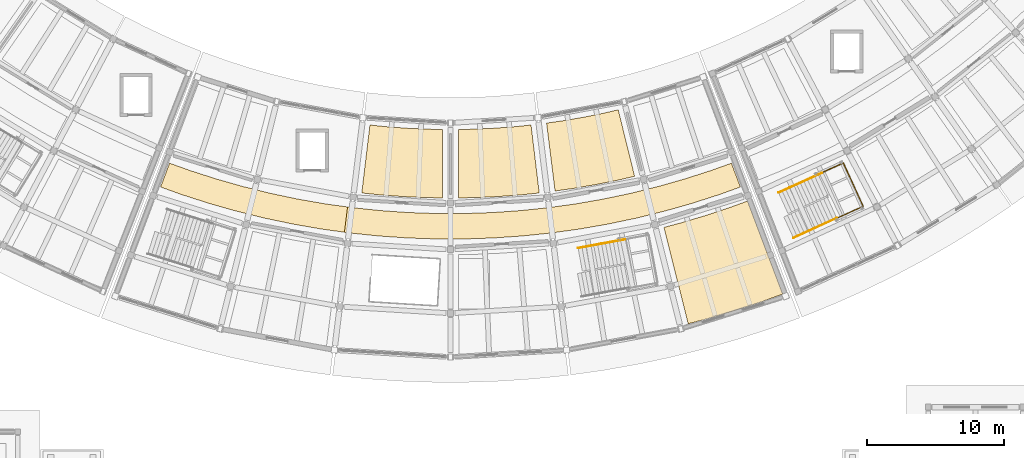
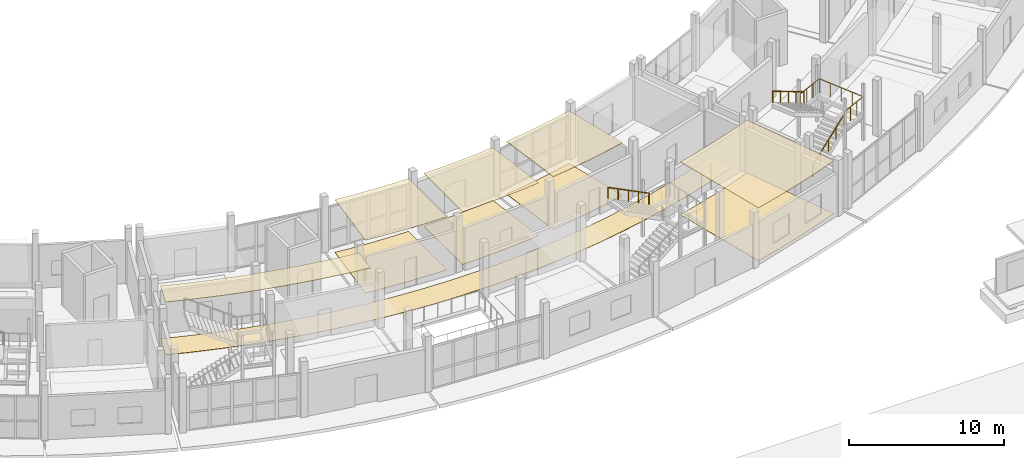
# One storey, part 84 of 92: 10 coverings, 4 railings.
"""IFC4 building model written with IfcOpenShell, lengths in metres."""

import ifcopenshell
import ifcopenshell.guid

model = None  # the IFC model being written
_history = None  # IfcOwnerHistory: only IFC2X3 demands one
_inside = {}  # id of a spatial element -> (the spatial element, [elements in it])
_under = {}  # id of a project, library or spatial element -> (it, [spatial elements below it])
_declared = {}  # id of a project -> (the project, [libraries it declares])
_typed = {}  # id of a type object -> (the type object, [elements of that type])
_made_of = {}  # id of a material, layer set ... -> (it, [elements and type objects made of it])


def new_model(schema):
    """Start an empty IFC model of exactly this schema.

    Asked for "IFC4X3", IfcOpenShell would pick the latest addendum, in which some entities
    have other attributes; the version numbers below select the first issue.
    IFC2X3 requires an IfcOwnerHistory on every rooted entity: one is made here for all.
    """
    global model, _history
    if schema == "IFC4X3":
        model = ifcopenshell.file(schema_version=(4, 3, 0, 0))
    else:
        model = ifcopenshell.file(schema=schema)
    _inside.clear()
    _under.clear()
    _declared.clear()
    _typed.clear()
    _made_of.clear()
    _history = None
    if model.schema == "IFC2X3":
        org = make("IfcOrganization", Name="unknown")
        user = make(
            "IfcPersonAndOrganization",
            ThePerson=make("IfcPerson", FamilyName="unknown"),
            TheOrganization=org,
        )
        app = make(
            "IfcApplication",
            ApplicationDeveloper=org,
            Version="unknown",
            ApplicationFullName="unknown",
            ApplicationIdentifier="unknown",
        )
        _history = make(
            "IfcOwnerHistory",
            OwningUser=user,
            OwningApplication=app,
            ChangeAction="ADDED",
            CreationDate=0,
        )
    return model


def make(cls, **values):
    """One entity of the class cls with the attributes given. An attribute that is None is left unset."""
    return model.create_entity(
        cls, **{name: value for name, value in values.items() if value is not None}
    )


def rooted(cls, **values):
    """An entity with a GlobalId (a new one), such as an element, a storey or a relation."""
    return make(cls, GlobalId=ifcopenshell.guid.new(), OwnerHistory=_history, **values)


def si_unit(unit_type, name, prefix=None):
    """IfcSIUnit, for example si_unit("LENGTHUNIT", "METRE", prefix="MILLI")."""
    return make("IfcSIUnit", UnitType=unit_type, Prefix=prefix, Name=name)


def assignment(units):
    """IfcUnitAssignment: the units of a project."""
    return None if units is None else make("IfcUnitAssignment", Units=units)


def point(xyz):
    """IfcCartesianPoint."""
    return None if xyz is None else make("IfcCartesianPoint", Coordinates=xyz)


def direction(xyz):
    """IfcDirection."""
    return None if xyz is None else make("IfcDirection", DirectionRatios=xyz)


def frame(location, z_axis=None, x_axis=None):
    """IfcAxis2Placement3D, a coordinate frame: its origin and axes. An axis left out is left unset."""
    return make(
        "IfcAxis2Placement3D",
        Location=point(location),
        Axis=direction(z_axis),
        RefDirection=direction(x_axis),
    )


def frame_2d(location, x_axis=None):
    """IfcAxis2Placement2D, a coordinate frame in the plane: its origin and x axis."""
    return make(
        "IfcAxis2Placement2D", Location=point(location), RefDirection=direction(x_axis)
    )


def origin():
    """The frame at (0, 0, 0) with its axes left unset."""
    return frame((0.0, 0.0, 0.0))


def origin_2d():
    """The frame at (0, 0) in the plane with its x axis left unset."""
    return frame_2d((0.0, 0.0))


def place(relative_to, where):
    """IfcLocalPlacement: puts the frame where relative to a parent placement (None: the world)."""
    return make(
        "IfcLocalPlacement", PlacementRelTo=relative_to, RelativePlacement=where
    )


def context(
    kind, dimensions, precision=None, world=None, true_north=None, identifier=None
):
    """IfcGeometricRepresentationContext, for example the 3D "Model" context."""
    return make(
        "IfcGeometricRepresentationContext",
        ContextIdentifier=identifier,
        ContextType=kind,
        CoordinateSpaceDimension=dimensions,
        Precision=precision,
        WorldCoordinateSystem=world,
        TrueNorth=true_north,
    )


def subcontext(parent, identifier, kind, view, scale=None):
    """IfcGeometricRepresentationSubContext, for example "Body" below "Model"."""
    return make(
        "IfcGeometricRepresentationSubContext",
        ContextIdentifier=identifier,
        ContextType=kind,
        ParentContext=parent,
        TargetScale=scale,
        TargetView=view,
    )


def project(units=None, contexts=None):
    """IfcProject with its units and contexts."""
    return rooted(
        "IfcProject",
        Name="project",
        RepresentationContexts=contexts,
        UnitsInContext=assignment(units),
    )


def spatial(cls, under=None, at=None, **own):
    """A site, building, storey or space (cls), placed at a placement, below another one or the project."""
    s = rooted(cls, ObjectPlacement=at, **own)
    if under is not None:
        _under.setdefault(under.id(), (under, []))[1].append(s)
    return s


def polyline(points):
    """IfcPolyline through the points."""
    return make("IfcPolyline", Points=[point(p) for p in points])


def profile(cls, at=None, kind="AREA", **sizes):
    """A parametric profile (cls). Its sizes go by their IFC names, for example OverallWidth=200.0."""
    return make(cls, ProfileType=kind, Position=at, **sizes)


def circle(**sizes):
    """IfcCircleProfileDef."""
    return profile("IfcCircleProfileDef", **sizes)


def outline(outer, holes=None, kind="AREA"):
    """IfcArbitraryClosedProfileDef: a profile drawn as a closed curve; with holes, ...WithVoids."""
    if holes is None:
        return make("IfcArbitraryClosedProfileDef", ProfileType=kind, OuterCurve=outer)
    return make(
        "IfcArbitraryProfileDefWithVoids",
        ProfileType=kind,
        OuterCurve=outer,
        InnerCurves=holes,
    )


def extrude(swept, where, along, depth):
    """IfcExtrudedAreaSolid: the profile swept, set in the frame where, extruded along a direction by depth."""
    return make(
        "IfcExtrudedAreaSolid",
        SweptArea=swept,
        Position=where,
        ExtrudedDirection=direction(along),
        Depth=depth,
    )


def shape(context_of_items, identifier, shape_type, items):
    """IfcShapeRepresentation: the items that make up one representation, for example the "Body"."""
    return make(
        "IfcShapeRepresentation",
        ContextOfItems=context_of_items,
        RepresentationIdentifier=identifier,
        RepresentationType=shape_type,
        Items=items,
    )


def material(Name=None, Category=None):
    """IfcMaterial."""
    return make("IfcMaterial", Name=Name, Category=Category)


def layer(
    of_material, thickness, ventilated=None, Name=None, Category=None, Priority=None
):
    """IfcMaterialLayer: one layer of a wall or slab, of a material (None: an air gap)."""
    return make(
        "IfcMaterialLayer",
        Material=of_material,
        LayerThickness=thickness,
        IsVentilated=ventilated,
        Name=Name,
        Category=Category,
        Priority=Priority,
    )


def layer_set(layers, Name=None):
    """IfcMaterialLayerSet."""
    return make("IfcMaterialLayerSet", MaterialLayers=layers, LayerSetName=Name)


def made_of(thing, what):
    """Note that an element or type object is made of a material, layer set ...; save() writes the relation."""
    if what is not None:
        _made_of.setdefault(what.id(), (what, []))[1].append(thing)
    return thing


def type_object(cls, material=None, **own):
    """A type object (cls), such as IfcWallType, which elements share."""
    return made_of(rooted(cls, **own), material)


def element(
    cls,
    number,
    at=None,
    inside=None,
    cuts=None,
    type_object=None,
    material=None,
    context=None,
    identifier="Body",
    shape_type=None,
    held_by="IfcProductDefinitionShape",
    body=None,
    shapes=None,
    **own,
):
    """One element of the class cls, such as IfcWall. Its Tag is "e" and its number.

    at: its placement. inside: the storey or other place that contains it. cuts: it is an
    opening in that element (IfcRelVoidsElement). A single representation is given by context,
    identifier, shape_type and body (its items); several are given by shapes. held_by: the class
    of the entity that holds the representations. save() writes the other relations.
    """
    e = rooted(cls, Tag="e%d" % number, ObjectPlacement=at, **own)
    if body is not None:
        shapes = [shape(context, identifier, shape_type, body)]
    if shapes is not None:
        e.Representation = make(held_by, Representations=shapes)
    if inside is not None:
        _inside.setdefault(inside.id(), (inside, []))[1].append(e)
    if cuts is not None:
        rooted(
            "IfcRelVoidsElement", RelatingBuildingElement=cuts, RelatedOpeningElement=e
        )
    if type_object is not None:
        _typed.setdefault(type_object.id(), (type_object, []))[1].append(e)
    return made_of(e, material)


def aggregate(whole, parts):
    """IfcRelAggregates: a whole, such as a stair, and the parts it consists of."""
    return rooted("IfcRelAggregates", RelatingObject=whole, RelatedObjects=parts)


def save(model, path):
    """Write the relations noted so far, then the file.

    IfcRelAggregates (storeys below a building ...), IfcRelContainedInSpatialStructure (elements
    in a storey), IfcRelDefinesByType, IfcRelAssociatesMaterial and IfcRelDeclares: one each for
    every whole, place, type object, material and project.
    """
    for whole, parts in _under.values():
        aggregate(whole, parts)
    for where, things in _inside.values():
        rooted(
            "IfcRelContainedInSpatialStructure",
            RelatedElements=things,
            RelatingStructure=where,
        )
    for kind, things in _typed.values():
        rooted("IfcRelDefinesByType", RelatedObjects=things, RelatingType=kind)
    for what, things in _made_of.values():
        rooted("IfcRelAssociatesMaterial", RelatedObjects=things, RelatingMaterial=what)
    for by, libraries in _declared.values():
        rooted("IfcRelDeclares", RelatingContext=by, RelatedDefinitions=libraries)
    model.write(path)


model = new_model("IFC4")

# Units and contexts
model_context = context("Model", 3, precision=1e-05, world=origin(), true_north=direction((0.0, 1.0)))
body_context = subcontext(model_context, "Body", "Model", "MODEL_VIEW")
ifc_project = project(units=[si_unit("LENGTHUNIT", "METRE"), si_unit("AREAUNIT", "SQUARE_METRE"), si_unit("VOLUMEUNIT", "CUBIC_METRE"), si_unit("PLANEANGLEUNIT", "RADIAN"), si_unit("MASSUNIT", "GRAM", prefix="KILO")], contexts=[model_context])

# Site, building, storey
site_placement = place(None, origin())
site = spatial("IfcSite", under=ifc_project, at=site_placement, CompositionType="ELEMENT")
building_placement = place(site_placement, origin())
building = spatial("IfcBuilding", under=site, at=building_placement, Name="Caldaven Crescent School", CompositionType="ELEMENT")
storey_placement = place(building_placement, origin())
storey = spatial("IfcBuildingStorey", under=building, at=storey_placement, Name="L00", CompositionType="ELEMENT", Elevation=0.0)

# Coverings
ifc_material_1 = material(Name="Perforated Pino Radiata acoustic timber baffle ceiling", Category="wood")
ifc_layer_1 = layer(ifc_material_1, 0.030029296875)
ifc_layer_set_1 = layer_set([ifc_layer_1], Name="Perforated Pino Radiata acoustic timber baffle ceiling")
covering_type_1 = type_object("IfcCoveringType", Name="COV-CLG1", PredefinedType="CEILING", material=ifc_layer_set_1)
covering_1_placement = place(storey_placement, frame((0.0, 0.0, 4.169921875)))
element("IfcCovering", 1, at=covering_1_placement, inside=storey, type_object=covering_type_1, Name="CLG-L00-100", PredefinedType="CEILING", context=body_context, shape_type="SweptSolid", body=[
    extrude(outline(polyline([(83.210693359375, 43.287109375), (83.223876953125, 43.285888671875), (84.76220703125, 43.169189453125), (84.775390625, 43.16845703125), (86.316162109375, 43.096923828125), (86.329345703125, 43.096435546875), (87.4287109375, 43.07763671875), (87.4169921875, 38.077880859375), (86.16455078125, 38.09912109375), (84.46337890625, 38.177978515625), (82.765625, 38.306884765625), (81.519775390625, 38.438720703125), (82.11767578125, 43.402587890625), (83.210693359375, 43.287109375)])), origin(), (0.0, 0.0, 1.0), 0.030029296875),
])
ifc_layer_2 = layer(ifc_material_1, 0.0380859375)
ifc_layer_set_2 = layer_set([ifc_layer_2], Name="Perforated Pino Radiata acoustic timber baffle ceiling")
covering_type_2 = type_object("IfcCoveringType", Name="COV-CLG2", PredefinedType="CEILING", material=ifc_layer_set_2)
covering_2_placement = place(storey_placement, frame((0.0, 0.0, 4.162109375)))
element("IfcCovering", 2, at=covering_2_placement, inside=storey, type_object=covering_type_2, Name="CLG-L00-097", PredefinedType="CEILING", context=body_context, shape_type="SweptSolid", body=[
    extrude(outline(polyline([(68.972900390625, 40.078369140625), (68.987548828125, 40.073486328125), (70.91357421875, 39.455078125), (70.928466796875, 39.45068359375), (72.87451171875, 38.8994140625), (72.889404296875, 38.8955078125), (74.853515625, 38.41162109375), (74.86865234375, 38.408203125), (76.848388671875, 37.9921875), (76.863525390625, 37.989501953125), (78.856201171875, 37.64208984375), (78.87158203125, 37.6396484375), (80.481689453125, 37.416015625), (80.252685546875, 35.5703125), (78.576416015625, 35.80322265625), (76.5048828125, 36.164306640625), (74.447509765625, 36.596435546875), (72.406005859375, 37.099365234375), (70.383056640625, 37.67236328125), (68.381103515625, 38.31494140625), (66.826171875, 38.8740234375), (67.4853515625, 40.613037109375), (68.972900390625, 40.078369140625)])), origin(), (0.0, 0.0, 1.0), 0.037841796875),
])
covering_3_placement = place(storey_placement, frame((0.0, 0.0, 4.162109375)))
element("IfcCovering", 3, at=covering_3_placement, inside=storey, type_object=covering_type_2, Name="CLG-L00-101", PredefinedType="CEILING", context=body_context, shape_type="SweptSolid", body=[
    extrude(outline(polyline([(89.670654296875, 43.096435546875), (89.683837890625, 43.096923828125), (91.224609375, 43.16845703125), (91.23779296875, 43.169189453125), (92.776123046875, 43.285888671875), (92.789306640625, 43.287109375), (93.88232421875, 43.402587890625), (94.480224609375, 38.438720703125), (93.234375, 38.306884765625), (91.53662109375, 38.177978515625), (89.83544921875, 38.09912109375), (88.5830078125, 38.077880859375), (88.5712890625, 43.07763671875), (89.670654296875, 43.096435546875)])), origin(), (0.0, 0.0, 1.0), 0.037841796875),
])
covering_4_placement = place(storey_placement, frame((0.0, 0.0, 4.162109375)))
element("IfcCovering", 4, at=covering_4_placement, inside=storey, type_object=covering_type_2, Name="CLG-L00-105", PredefinedType="CEILING", context=body_context, shape_type="SweptSolid", body=[
    extrude(outline(polyline([(104.910400390625, 36.278076171875), (104.923095703125, 36.281494140625), (106.658447265625, 36.80078125), (106.671142578125, 36.804931640625), (108.390380859375, 37.375), (108.40283203125, 37.379150390625), (109.68798828125, 37.84765625), (112.274169921875, 31.06396484375), (110.7822265625, 30.520263671875), (108.847900390625, 29.87890625), (106.8955078125, 29.294677734375), (105.361572265625, 28.884521484375), (103.589111328125, 35.924560546875), (104.910400390625, 36.278076171875)])), origin(), (0.0, 0.0, 1.0), 0.037841796875),
])
ifc_layer_3 = layer(ifc_material_1, 0.053955078125)
ifc_layer_set_3 = layer_set([ifc_layer_3], Name="Perforated Pino Radiata acoustic timber baffle ceiling")
covering_type_3 = type_object("IfcCoveringType", Name="COV-CLG4", PredefinedType="CEILING", material=ifc_layer_set_3)
covering_5_placement = place(storey_placement, frame((0.0, 0.0, 4.14599609375)))
element("IfcCovering", 5, at=covering_5_placement, inside=storey, type_object=covering_type_3, Name="CLG-L00-103", PredefinedType="CEILING", context=body_context, shape_type="SweptSolid", body=[
    extrude(outline(polyline([(96.10546875, 43.6943359375), (96.118408203125, 43.6962890625), (97.63916015625, 43.955078125), (97.652099609375, 43.95751953125), (99.164794921875, 44.260986328125), (99.177490234375, 44.263916015625), (100.24853515625, 44.511474609375), (101.447021484375, 39.657470703125), (100.2265625, 39.375), (98.556884765625, 39.0400390625), (96.878173828125, 38.75439453125), (95.637451171875, 38.58056640625), (95.016845703125, 43.5419921875), (96.10546875, 43.6943359375)])), origin(), (0.0, 0.0, 1.0), 0.053955078125),
])
ifc_material_2 = material(Name="Polished terrazzo and acoustic linoleum flooring")
ifc_layer_4 = layer(ifc_material_2, 0.02001953125)
ifc_layer_set_4 = layer_set([ifc_layer_4], Name="Polished terrazzo and acoustic linoleum flooring")
covering_type_4 = type_object("IfcCoveringType", Name="COV-FLR1", PredefinedType="FLOORING", material=ifc_layer_set_4)
covering_6_placement = place(storey_placement, origin())
element("IfcCovering", 6, at=covering_6_placement, inside=storey, type_object=covering_type_4, Name="FLR-L00-105", PredefinedType="FLOORING", context=body_context, shape_type="SweptSolid", body=[
    extrude(outline(polyline([(103.589111328125, 35.924560546875), (104.910400390625, 36.278076171875), (104.923095703125, 36.281494140625), (106.658447265625, 36.80078125), (106.671142578125, 36.804931640625), (108.390380859375, 37.375), (108.40283203125, 37.379150390625), (109.68798828125, 37.84765625), (112.274169921875, 31.06396484375), (110.7822265625, 30.520263671875), (108.847900390625, 29.87890625), (106.8955078125, 29.294677734375), (105.361572265625, 28.884521484375), (103.589111328125, 35.924560546875)])), origin(), (0.0, 0.0, 1.0), 0.02001953125),
])
ifc_layer_5 = layer(ifc_material_2, 0.02587890625)
ifc_layer_set_5 = layer_set([ifc_layer_5], Name="Polished terrazzo and acoustic linoleum flooring")
covering_type_5 = type_object("IfcCoveringType", Name="COV-FLR2", PredefinedType="FLOORING", material=ifc_layer_set_5)
covering_7_placement = place(storey_placement, origin())
element("IfcCovering", 7, at=covering_7_placement, inside=storey, type_object=covering_type_5, Name="FLR-L00-097", PredefinedType="FLOORING", context=body_context, shape_type="SweptSolid", body=[
    extrude(outline(polyline([(67.4853515625, 40.613037109375), (68.972900390625, 40.078369140625), (68.987548828125, 40.073486328125), (70.91357421875, 39.455078125), (70.928466796875, 39.45068359375), (72.87451171875, 38.8994140625), (72.889404296875, 38.8955078125), (74.853515625, 38.41162109375), (74.86865234375, 38.408203125), (76.848388671875, 37.9921875), (76.863525390625, 37.989501953125), (78.856201171875, 37.64208984375), (78.87158203125, 37.6396484375), (80.875244140625, 37.361328125), (80.890625, 37.359375), (82.902587890625, 37.150390625), (82.918212890625, 37.149169921875), (84.93603515625, 37.009521484375), (84.951416015625, 37.0087890625), (86.97314453125, 36.93896484375), (86.988525390625, 36.938720703125), (89.011474609375, 36.938720703125), (89.02685546875, 36.93896484375), (91.048583984375, 37.0087890625), (91.06396484375, 37.009521484375), (93.081787109375, 37.149169921875), (93.097412109375, 37.150390625), (95.109375, 37.359375), (95.124755859375, 37.361328125), (97.12841796875, 37.6396484375), (97.143798828125, 37.64208984375), (99.136474609375, 37.989501953125), (99.151611328125, 37.9921875), (101.13134765625, 38.408203125), (101.146484375, 38.41162109375), (103.110595703125, 38.8955078125), (103.12548828125, 38.8994140625), (105.071533203125, 39.45068359375), (105.08642578125, 39.455078125), (107.012451171875, 40.073486328125), (107.027099609375, 40.078369140625), (108.5146484375, 40.613037109375), (109.173828125, 38.8740234375), (107.618896484375, 38.31494140625), (105.616943359375, 37.67236328125), (103.593994140625, 37.099365234375), (101.552490234375, 36.596435546875), (99.4951171875, 36.164306640625), (97.423583984375, 35.80322265625), (95.34130859375, 35.513916015625), (93.25, 35.296630859375), (91.152587890625, 35.151611328125), (89.05126953125, 35.0791015625), (86.94873046875, 35.0791015625), (84.847412109375, 35.151611328125), (82.75, 35.296630859375), (80.65869140625, 35.513916015625), (78.576416015625, 35.80322265625), (76.5048828125, 36.164306640625), (74.447509765625, 36.596435546875), (72.406005859375, 37.099365234375), (70.383056640625, 37.67236328125), (68.381103515625, 38.31494140625), (66.826171875, 38.8740234375), (67.4853515625, 40.613037109375)])), origin(), (0.0, 0.0, 1.0), 0.02587890625),
])
covering_8_placement = place(storey_placement, origin())
element("IfcCovering", 8, at=covering_8_placement, inside=storey, type_object=covering_type_5, Name="FLR-L00-100", PredefinedType="FLOORING", context=body_context, shape_type="SweptSolid", body=[
    extrude(outline(polyline([(82.11767578125, 43.402587890625), (83.210693359375, 43.287109375), (83.223876953125, 43.285888671875), (84.76220703125, 43.169189453125), (84.775390625, 43.16845703125), (86.316162109375, 43.096923828125), (86.329345703125, 43.096435546875), (87.4287109375, 43.07763671875), (87.4169921875, 38.077880859375), (86.16455078125, 38.09912109375), (84.46337890625, 38.177978515625), (82.765625, 38.306884765625), (81.519775390625, 38.438720703125), (82.11767578125, 43.402587890625)])), origin(), (0.0, 0.0, 1.0), 0.02587890625),
])
covering_9_placement = place(storey_placement, origin())
element("IfcCovering", 9, at=covering_9_placement, inside=storey, type_object=covering_type_5, Name="FLR-L00-103", PredefinedType="FLOORING", context=body_context, shape_type="SweptSolid", body=[
    extrude(outline(polyline([(95.016845703125, 43.5419921875), (96.10546875, 43.6943359375), (96.118408203125, 43.6962890625), (97.63916015625, 43.955078125), (97.652099609375, 43.95751953125), (99.164794921875, 44.260986328125), (99.177490234375, 44.263916015625), (100.24853515625, 44.511474609375), (101.447021484375, 39.657470703125), (100.2265625, 39.375), (98.556884765625, 39.0400390625), (96.878173828125, 38.75439453125), (95.637451171875, 38.58056640625), (95.016845703125, 43.5419921875)])), origin(), (0.0, 0.0, 1.0), 0.02587890625),
])
ifc_layer_6 = layer(ifc_material_2, 0.031982421875)
ifc_layer_set_6 = layer_set([ifc_layer_6], Name="Polished terrazzo and acoustic linoleum flooring")
covering_type_6 = type_object("IfcCoveringType", Name="COV-FLR3", PredefinedType="FLOORING", material=ifc_layer_set_6)
covering_10_placement = place(storey_placement, origin())
element("IfcCovering", 10, at=covering_10_placement, inside=storey, type_object=covering_type_6, Name="FLR-L00-101", PredefinedType="FLOORING", context=body_context, shape_type="SweptSolid", body=[
    extrude(outline(polyline([(88.5712890625, 43.07763671875), (89.670654296875, 43.096435546875), (89.683837890625, 43.096923828125), (91.224609375, 43.16845703125), (91.23779296875, 43.169189453125), (92.776123046875, 43.285888671875), (92.789306640625, 43.287109375), (93.88232421875, 43.402587890625), (94.480224609375, 38.438720703125), (93.234375, 38.306884765625), (91.53662109375, 38.177978515625), (89.83544921875, 38.09912109375), (88.5830078125, 38.077880859375), (88.5712890625, 43.07763671875)])), origin(), (0.0, 0.0, 1.0), 0.031982421875),
])

# Railings
ifc_material_3 = material(Name="Brushed stainless-steel continuous tubular handrail", Category="steel")
railing_type_1 = type_object("IfcRailingType", Name="RAL-HR1", PredefinedType="HANDRAIL", material=ifc_material_3)
railing_1_placement = place(storey_placement, frame((100.7412109375, 35.046142578125, 2.383056640625)))
element("IfcRailing", 11, at=railing_1_placement, inside=storey, type_object=railing_type_1, Name="HR-ST3-L00-F2", PredefinedType="HANDRAIL", context=body_context, shape_type="SweptSolid", body=[
    extrude(circle(Radius=0.02392578125, at=origin_2d()), frame((0.0, 0.0, 0.85595703125), z_axis=(-0.848246008777, -0.157181226172, 0.50573982514), x_axis=(0.182199799434, -0.983261528326, 0.0)), (0.0, 0.0, 1.0), 4.03369140625),
    extrude(circle(Radius=0.02099609375, at=origin_2d()), origin(), (0.0, 0.0, 1.0), 0.831787109375),
    extrude(circle(Radius=0.02099609375, at=origin_2d()), frame((-0.85546875, -0.158447265625, 0.510009765625)), (0.0, 0.0, 1.0), 0.831787109375),
    extrude(circle(Radius=0.02099609375, at=origin_2d()), frame((-1.7109375, -0.31689453125, 1.02001953125)), (0.0, 0.0, 1.0), 0.831787109375),
    extrude(circle(Radius=0.02099609375, at=origin_2d()), frame((-2.566162109375, -0.4755859375, 1.530029296875)), (0.0, 0.0, 1.0), 0.831787109375),
    extrude(circle(Radius=0.02099609375, at=origin_2d()), frame((-3.421630859375, -0.634033203125, 2.0400390625)), (0.0, 0.0, 1.0), 0.831787109375),
])
railing_type_2 = type_object("IfcRailingType", Name="RAL-HR2", PredefinedType="HANDRAIL", material=ifc_material_3)
railing_2_placement = place(storey_placement, frame((113.043701171875, 35.162841796875, 0.173095703125)))
element("IfcRailing", 12, at=railing_2_placement, inside=storey, type_object=railing_type_2, Name="HR-ST4-L00-F1", PredefinedType="HANDRAIL", context=body_context, shape_type="SweptSolid", body=[
    extrude(circle(Radius=0.02392578125, at=origin_2d()), frame((0.0, 0.0, 0.8759765625), z_axis=(0.785051003706, 0.357754720754, 0.505674283861), x_axis=(-0.414680157328, 0.90996723409, 0.0)), (0.0, 0.0, 1.0), 4.03369140625),
    extrude(circle(Radius=0.02099609375, at=origin_2d()), origin(), (0.0, 0.0, 1.0), 0.851806640625),
    extrude(circle(Radius=0.02099609375, at=origin_2d()), frame((0.791748046875, 0.36083984375, 0.510009765625)), (0.0, 0.0, 1.0), 0.851806640625),
    extrude(circle(Radius=0.02099609375, at=origin_2d()), frame((1.58349609375, 0.7216796875, 1.02001953125)), (0.0, 0.0, 1.0), 0.851806640625),
    extrude(circle(Radius=0.02099609375, at=origin_2d()), frame((2.375, 1.082275390625, 1.52978515625)), (0.0, 0.0, 1.0), 0.851806640625),
    extrude(circle(Radius=0.02099609375, at=origin_2d()), frame((3.166748046875, 1.443115234375, 2.039794921875)), (0.0, 0.0, 1.0), 0.851806640625),
])
railing_3_placement = place(storey_placement, frame((115.12548828125, 39.90283203125, 2.383056640625)))
element("IfcRailing", 13, at=railing_3_placement, inside=storey, type_object=railing_type_2, Name="HR-ST4-L00-F2", PredefinedType="HANDRAIL", context=body_context, shape_type="SweptSolid", body=[
    extrude(circle(Radius=0.02392578125, at=origin_2d()), frame((0.0, 0.0, 0.8759765625), z_axis=(-0.785026976725, -0.357743771446, 0.505719329081), x_axis=(0.414680157328, -0.90996723409, 0.0)), (0.0, 0.0, 1.0), 4.033935546875),
    extrude(circle(Radius=0.02099609375, at=origin_2d()), origin(), (0.0, 0.0, 1.0), 0.851806640625),
    extrude(circle(Radius=0.02099609375, at=origin_2d()), frame((-0.791748046875, -0.36083984375, 0.510009765625)), (0.0, 0.0, 1.0), 0.851806640625),
    extrude(circle(Radius=0.02099609375, at=origin_2d()), frame((-1.58349609375, -0.7216796875, 1.02001953125)), (0.0, 0.0, 1.0), 0.851806640625),
    extrude(circle(Radius=0.02099609375, at=origin_2d()), frame((-2.375, -1.082275390625, 1.530029296875)), (0.0, 0.0, 1.0), 0.851806640625),
    extrude(circle(Radius=0.02099609375, at=origin_2d()), frame((-3.166748046875, -1.443115234375, 2.0400390625)), (0.0, 0.0, 1.0), 0.851806640625),
])
ifc_material_4 = material(Name="Powder-coated tubular steel balustrade ASTM A572 Grade 50", Category="steel")
railing_type_3 = type_object("IfcRailingType", Name="RAL-INT2", PredefinedType="BALUSTRADE", material=ifc_material_4)
railing_4_placement = place(storey_placement, frame((116.216552734375, 36.59228515625, 2.2099609375)))
element("IfcRailing", 14, at=railing_4_placement, inside=storey, type_object=railing_type_3, Name="GD-LND-ST4-L00", PredefinedType="BALUSTRADE", context=body_context, shape_type="SweptSolid", body=[
    extrude(circle(Radius=0.02392578125, at=origin_2d()), frame((0.0, 0.0, 1.09619140625), z_axis=(0.909973800764, 0.414665747227, 0.0), x_axis=(-0.414665747227, 0.909973800764, 0.0)), (0.0, 0.0, 1.0), 2.110107421875),
    extrude(circle(Radius=0.02392578125, at=origin_2d()), frame((1.920166015625, 0.875, 1.09619140625), z_axis=(-0.414764721078, 0.909928692893, 0.0), x_axis=(-0.909928692893, -0.414764721078, 0.0)), (0.0, 0.0, 1.0), 3.47998046875),
    extrude(circle(Radius=0.02392578125, at=origin_2d()), frame((0.476806640625, 4.04150390625, 1.09619140625), z_axis=(-0.909953903421, -0.41470940868, 0.0), x_axis=(0.41470940868, -0.909953903421, 0.0)), (0.0, 0.0, 1.0), 2.10986328125),
    extrude(circle(Radius=0.02099609375, at=origin_2d()), origin(), (0.0, 0.0, 1.0), 1.072021484375),
    extrude(circle(Radius=0.02099609375, at=origin_2d()), frame((0.64013671875, 0.291748046875, 0.0)), (0.0, 0.0, 1.0), 1.072021484375),
    extrude(circle(Radius=0.02099609375, at=origin_2d()), frame((1.280029296875, 0.583251953125, 0.0)), (0.0, 0.0, 1.0), 1.072021484375),
    extrude(circle(Radius=0.02099609375, at=origin_2d()), frame((1.920166015625, 0.875, 0.0)), (0.0, 0.0, 1.0), 1.072021484375),
    extrude(circle(Radius=0.02099609375, at=origin_2d()), frame((1.559326171875, 1.66650390625, 0.0)), (0.0, 0.0, 1.0), 1.072021484375),
    extrude(circle(Radius=0.02099609375, at=origin_2d()), frame((1.198486328125, 2.458251953125, 0.0)), (0.0, 0.0, 1.0), 1.072021484375),
    extrude(circle(Radius=0.02099609375, at=origin_2d()), frame((0.837646484375, 3.25, 0.0)), (0.0, 0.0, 1.0), 1.072021484375),
    extrude(circle(Radius=0.02099609375, at=origin_2d()), frame((0.476806640625, 4.04150390625, 0.0)), (0.0, 0.0, 1.0), 1.072021484375),
    extrude(circle(Radius=0.02099609375, at=origin_2d()), frame((-0.1630859375, 3.749755859375, 0.0)), (0.0, 0.0, 1.0), 1.072021484375),
    extrude(circle(Radius=0.02099609375, at=origin_2d()), frame((-0.80322265625, 3.458251953125, 0.0)), (0.0, 0.0, 1.0), 1.072021484375),
    extrude(circle(Radius=0.02099609375, at=origin_2d()), frame((-1.443115234375, 3.16650390625, 0.0)), (0.0, 0.0, 1.0), 1.072021484375),
])

save(model, "model.ifc")
